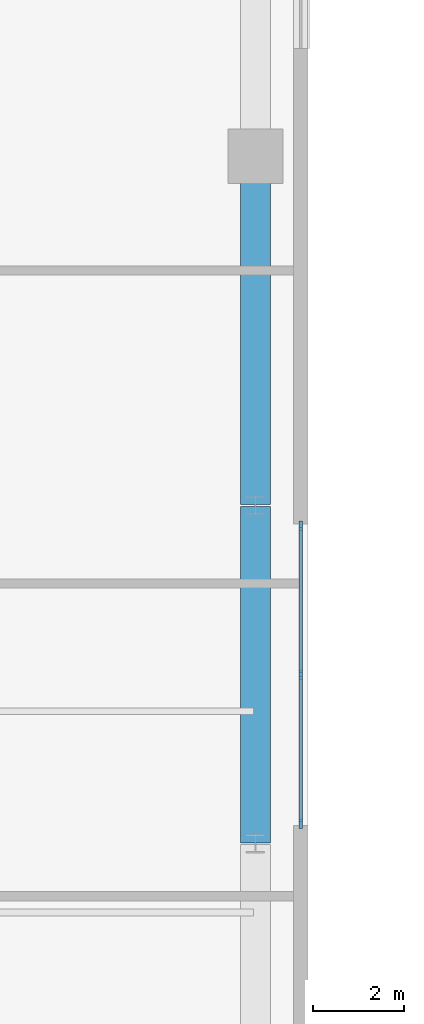
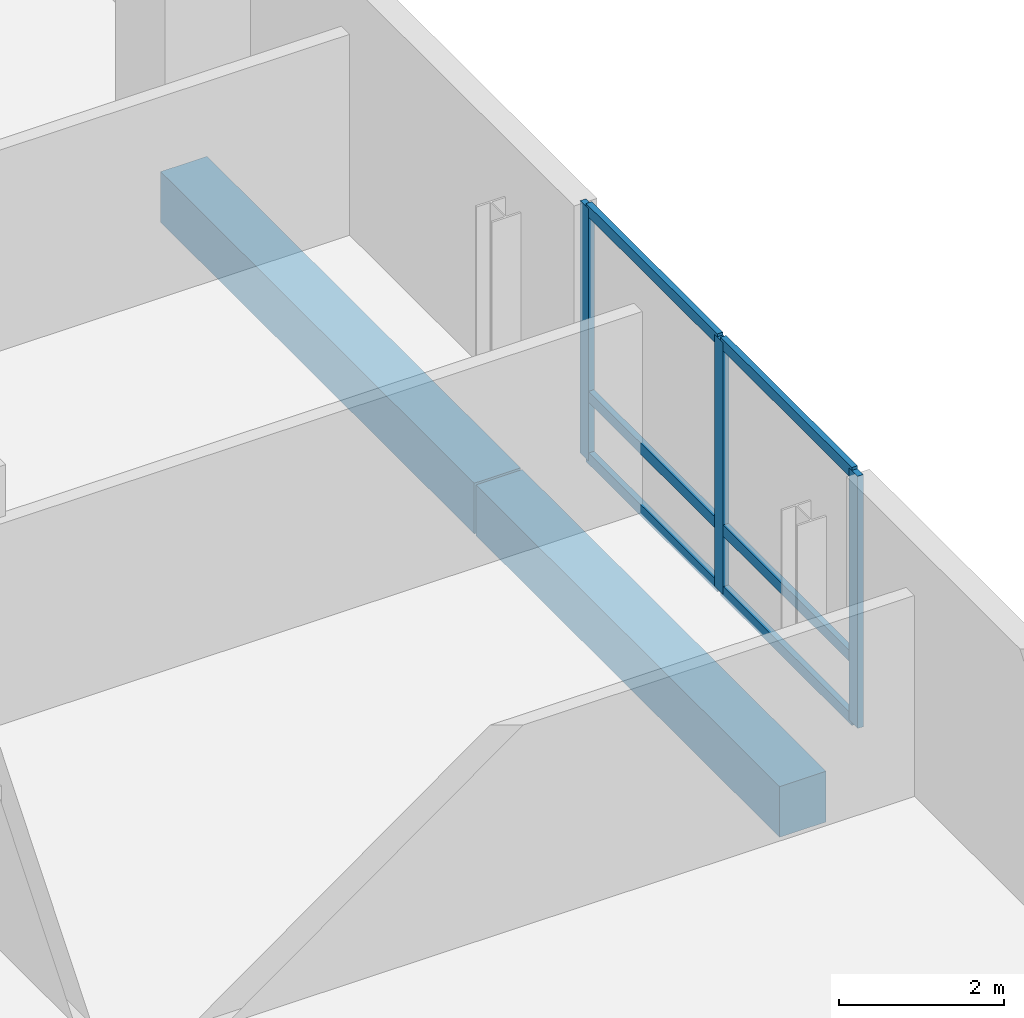
# One storey, part 5 of 15: 9 members, 2 beams, 1 element without a shape of its own.
"""IFC4 building model written with IfcOpenShell, lengths in metres."""

from ifc_helpers import new_model, si_unit, direction, frame, origin, origin_2d, place, context, subcontext, project, spatial, rectangle, extrude, source, transform, mapped, material, material_profile, profile_set, type_object, element, aggregate, save


model = new_model("IFC4")

# Units and contexts
model_context = context("Model", 3, precision=1e-05, world=origin(), true_north=direction((0.0, 1.0)))
body_context = subcontext(model_context, "Body", "Model", "MODEL_VIEW")
ifc_project = project(units=[si_unit("LENGTHUNIT", "METRE"), si_unit("AREAUNIT", "SQUARE_METRE"), si_unit("VOLUMEUNIT", "CUBIC_METRE"), si_unit("PLANEANGLEUNIT", "RADIAN"), si_unit("MASSUNIT", "GRAM", prefix="KILO")], contexts=[model_context])

# Site, building, storey
site_placement = place(None, origin())
site = spatial("IfcSite", under=ifc_project, at=site_placement, CompositionType="ELEMENT")
building_placement = place(site_placement, origin())
building = spatial("IfcBuilding", under=site, at=building_placement, Name="Vardaveli Station Tower", CompositionType="ELEMENT")
storey_placement = place(building_placement, frame((0.0, 0.0, 246.64990234375)))
storey = spatial("IfcBuildingStorey", under=building, at=storey_placement, Name="L63", CompositionType="ELEMENT", Elevation=246.64990234375)

# Beams
ifc_material_1 = material(Name="Precast concrete C45/55", Category="concrete")
ifc_material_profile_1 = material_profile(ifc_material_1, rectangle(XDim=0.64990234375, YDim=0.75, at=origin_2d()), Name="LPB 650x750")
ifc_profile_set_1 = profile_set([ifc_material_profile_1], Name="Precast concrete C45/55")
beam_type = type_object("IfcBeamType", Name="BM-LPB-750", PredefinedType="BEAM", material=ifc_profile_set_1)
shared_shape_1 = source(origin(), body_context, "Body", "SweptSolid", [
    extrude(rectangle(XDim=0.64990234375, YDim=0.75, at=origin_2d()), origin(), (0.0, 0.0, 1.0), 7.60009765625),
])
beam_1_placement = place(storey_placement, frame((61.25, 28.919921875, -0.594970703125), z_axis=(0.0, 1.0, 0.0), x_axis=(-1.0, 0.0, 0.0)))
element("IfcBeam", 1, at=beam_1_placement, inside=storey, type_object=beam_type, Name="RBM-L63-09", PredefinedType="BEAM", context=body_context, shape_type="MappedRepresentation", body=[
    mapped(shared_shape_1, transform((0.0, 0.0, 0.0), scale=1.0)),
])
shared_shape_2 = source(origin(), body_context, "Body", "SweptSolid", [
    extrude(rectangle(XDim=0.64990234375, YDim=0.75, at=origin_2d()), origin(), (0.0, 0.0, 1.0), 7.35986328125),
])
beam_2_placement = place(storey_placement, frame((61.25, 21.52001953125, -0.594970703125), z_axis=(0.0, 1.0, 0.0), x_axis=(-1.0, 0.0, 0.0)))
element("IfcBeam", 2, at=beam_2_placement, inside=storey, type_object=beam_type, Name="RBM-L63-08", PredefinedType="BEAM", context=body_context, shape_type="MappedRepresentation", body=[
    mapped(shared_shape_2, transform((0.0, 0.0, 0.0), scale=1.0)),
])

# Curtain wall, members
ifc_material_2 = material(Name="Travertine stone and solar-control glass", Category="masonry")
curtain_wall_type = type_object("IfcCurtainWallType", Name="CW-SYS-5", PredefinedType="NOTDEFINED", material=ifc_material_2)
curtain_wall_placement = place(storey_placement, origin())
curtain_wall = element("IfcCurtainWall", 3, at=curtain_wall_placement, inside=storey, type_object=curtain_wall_type, Name="CW-L63-E", PredefinedType="NOTDEFINED")
ifc_material_3 = material(Name="Anodised aluminium alloy 6063-T6", Category="aluminium")
ifc_material_profile_2 = material_profile(ifc_material_3, rectangle(XDim=0.080078125, YDim=0.1650390625, at=origin_2d()), Name="CWT 80x165")
ifc_profile_set_2 = profile_set([ifc_material_profile_2], Name="Anodised aluminium alloy 6063-T6")
member_type_1 = type_object("IfcMemberType", Name="CW-SYS-5-TRAN", PredefinedType="NOTDEFINED", material=ifc_profile_set_2)
shared_shape_3 = source(origin(), body_context, "Body", "SweptSolid", [
    extrude(rectangle(XDim=0.080078125, YDim=0.1650390625, at=origin_2d()), origin(), (0.0, 0.0, 1.0), 3.179931640625),
])
member_1_placement = place(storey_placement, frame((62.239990234375, 21.97998046875, 0.0400390625), z_axis=(0.0, 1.0, 0.0), x_axis=(-1.0, 0.0, 0.0)))
member_1 = element("IfcMember", 4, at=member_1_placement, type_object=member_type_1, Name="CW-5 transom 1.1", ObjectType="TRANSOM", PredefinedType="USERDEFINED", context=body_context, shape_type="MappedRepresentation", body=[
    mapped(shared_shape_3, transform((0.0, 0.0, 0.0), scale=1.0)),
])
member_2_placement = place(storey_placement, frame((62.239990234375, 21.97998046875, 0.9501953125), z_axis=(0.0, 1.0, 0.0), x_axis=(-1.0, 0.0, 0.0)))
member_2 = element("IfcMember", 5, at=member_2_placement, type_object=member_type_1, Name="CW-5 transom 1.2", ObjectType="TRANSOM", PredefinedType="USERDEFINED", context=body_context, shape_type="MappedRepresentation", body=[
    mapped(shared_shape_3, transform((0.0, 0.0, 0.0), scale=1.0)),
])
member_3_placement = place(storey_placement, frame((62.239990234375, 21.97998046875, 3.690185546875), z_axis=(0.0, 1.0, 0.0), x_axis=(-1.0, 0.0, 0.0)))
member_3 = element("IfcMember", 6, at=member_3_placement, type_object=member_type_1, Name="CW-5 transom 1.3", ObjectType="TRANSOM", PredefinedType="USERDEFINED", context=body_context, shape_type="MappedRepresentation", body=[
    mapped(shared_shape_3, transform((0.0, 0.0, 0.0), scale=1.0)),
])
member_4_placement = place(storey_placement, frame((62.239990234375, 25.239990234375, 0.0400390625), z_axis=(0.0, 1.0, 0.0), x_axis=(-1.0, 0.0, 0.0)))
member_4 = element("IfcMember", 7, at=member_4_placement, type_object=member_type_1, Name="CW-5 transom 2.1", ObjectType="TRANSOM", PredefinedType="USERDEFINED", context=body_context, shape_type="MappedRepresentation", body=[
    mapped(shared_shape_3, transform((0.0, 0.0, 0.0), scale=1.0)),
])
member_5_placement = place(storey_placement, frame((62.239990234375, 25.239990234375, 0.9501953125), z_axis=(0.0, 1.0, 0.0), x_axis=(-1.0, 0.0, 0.0)))
member_5 = element("IfcMember", 8, at=member_5_placement, type_object=member_type_1, Name="CW-5 transom 2.2", ObjectType="TRANSOM", PredefinedType="USERDEFINED", context=body_context, shape_type="MappedRepresentation", body=[
    mapped(shared_shape_3, transform((0.0, 0.0, 0.0), scale=1.0)),
])
member_6_placement = place(storey_placement, frame((62.239990234375, 25.239990234375, 3.690185546875), z_axis=(0.0, 1.0, 0.0), x_axis=(-1.0, 0.0, 0.0)))
member_6 = element("IfcMember", 9, at=member_6_placement, type_object=member_type_1, Name="CW-5 transom 2.3", ObjectType="TRANSOM", PredefinedType="USERDEFINED", context=body_context, shape_type="MappedRepresentation", body=[
    mapped(shared_shape_3, transform((0.0, 0.0, 0.0), scale=1.0)),
])
ifc_material_profile_3 = material_profile(ifc_material_3, rectangle(XDim=0.080078125, YDim=0.205078125, at=origin_2d()), Name="CWM 80x205")
ifc_profile_set_3 = profile_set([ifc_material_profile_3], Name="Anodised aluminium alloy 6063-T6")
member_type_2 = type_object("IfcMemberType", Name="CW-SYS-5-MULL", PredefinedType="MULLION", material=ifc_profile_set_3)
shared_shape_4 = source(origin(), body_context, "Body", "SweptSolid", [
    extrude(rectangle(XDim=0.080078125, YDim=0.205078125, at=origin_2d()), origin(), (0.0, 0.0, 1.0), 3.72998046875),
])
member_7_placement = place(storey_placement, frame((62.239990234375, 21.93994140625, 0.0), z_axis=(0.0, 0.0, 1.0), x_axis=(-1.0, 0.0, 0.0)))
member_7 = element("IfcMember", 10, at=member_7_placement, type_object=member_type_2, Name="CW-5 mullion 1", PredefinedType="MULLION", context=body_context, shape_type="MappedRepresentation", body=[
    mapped(shared_shape_4, transform((0.0, 0.0, 0.0), scale=1.0)),
])
member_8_placement = place(storey_placement, frame((62.239990234375, 25.199951171875, 0.0), z_axis=(0.0, 0.0, 1.0), x_axis=(-1.0, 0.0, 0.0)))
member_8 = element("IfcMember", 11, at=member_8_placement, type_object=member_type_2, Name="CW-5 mullion 2", PredefinedType="MULLION", context=body_context, shape_type="MappedRepresentation", body=[
    mapped(shared_shape_4, transform((0.0, 0.0, 0.0), scale=1.0)),
])
member_9_placement = place(storey_placement, frame((62.239990234375, 28.4599609375, 0.0), z_axis=(0.0, 0.0, 1.0), x_axis=(-1.0, 0.0, 0.0)))
member_9 = element("IfcMember", 12, at=member_9_placement, type_object=member_type_2, Name="CW-5 mullion 3", PredefinedType="MULLION", context=body_context, shape_type="MappedRepresentation", body=[
    mapped(shared_shape_4, transform((0.0, 0.0, 0.0), scale=1.0)),
])
aggregate(curtain_wall, [member_7, member_8, member_9, member_1, member_2, member_3, member_4, member_5, member_6])

save(model, "model.ifc")
